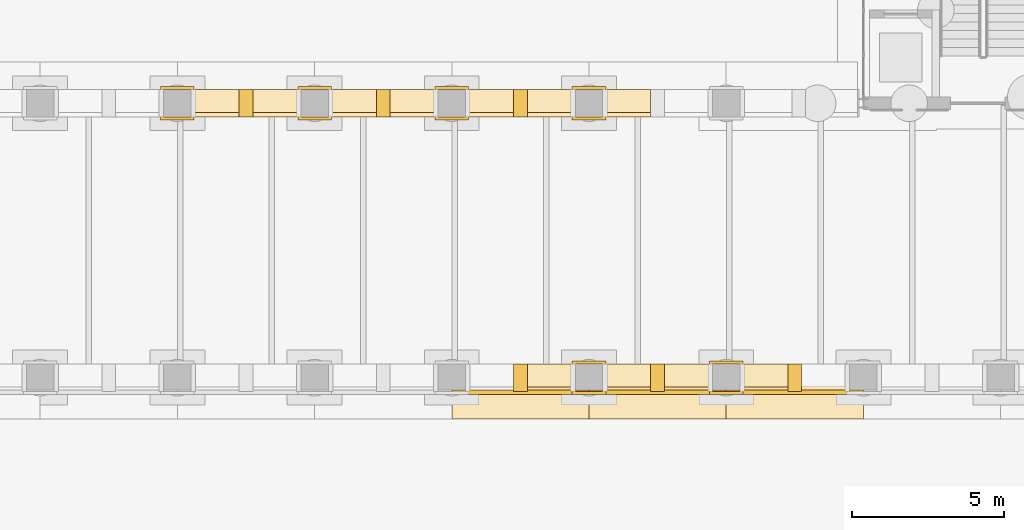
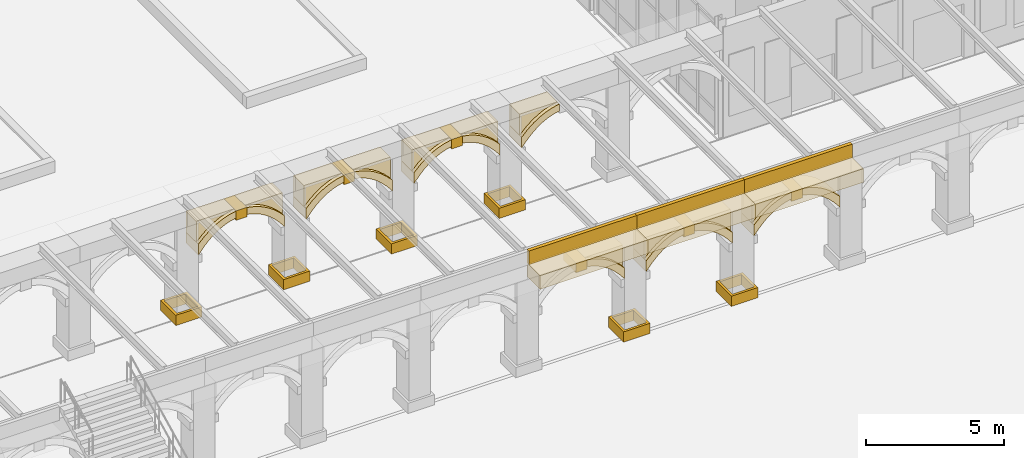
# One storey, part 126 of 168: 41 coverings.
"""IFC4 building model written with IfcOpenShell, lengths in metres."""

from ifc_helpers import new_model, si_unit, direction, frame, origin, origin_2d, place, context, subcontext, project, spatial, polyline, rectangle, outline, extrude, material, layer, layer_set, material_profile, profile_set, type_object, element, save


model = new_model("IFC4")

# Units and contexts
model_context = context("Model", 3, precision=1e-05, world=origin(), true_north=direction((0.0, 1.0)))
body_context = subcontext(model_context, "Body", "Model", "MODEL_VIEW")
ifc_project = project(units=[si_unit("LENGTHUNIT", "METRE"), si_unit("AREAUNIT", "SQUARE_METRE"), si_unit("VOLUMEUNIT", "CUBIC_METRE"), si_unit("PLANEANGLEUNIT", "RADIAN"), si_unit("MASSUNIT", "GRAM", prefix="KILO")], contexts=[model_context])

# Site, building, storey
site_placement = place(None, origin())
site = spatial("IfcSite", under=ifc_project, at=site_placement, CompositionType="ELEMENT")
building_placement = place(site_placement, origin())
building = spatial("IfcBuilding", under=site, at=building_placement, Name="Golden Quay Civic Hall", CompositionType="ELEMENT")
storey_placement = place(building_placement, origin())
storey = spatial("IfcBuildingStorey", under=building, at=storey_placement, Name="L00", CompositionType="ELEMENT", Elevation=0.0)

# Coverings
ifc_material_1 = material(Name="Brick, dark clay facing", Category="masonry")
ifc_layer_1 = layer(ifc_material_1, 0.75)
ifc_layer_set_1 = layer_set([ifc_layer_1], Name="Brick arch spandrel infill 750")
covering_type_1 = type_object("IfcCoveringType", Name="Brick arch spandrel infill 750", PredefinedType="CLADDING", material=ifc_layer_set_1)
covering_1_placement = place(storey_placement, frame((42.97509765625, -9.300048828125, 4.091064453125), z_axis=(0.0, -1.0, 0.0), x_axis=(0.97842552974, 0.0, -0.206599813053)))
element("IfcCovering", 1, at=covering_1_placement, inside=storey, type_object=covering_type_1, Name="Arch spandrel outer bay 6 right", PredefinedType="CLADDING", context=body_context, shape_type="SweptSolid", body=[
    extrude(outline(polyline([(0.0, 0.0), (0.06263051710363293, 1.734723475976807e-18), (0.31267483867747137, -0.0001008788149670925), (0.5881025541456739, -0.03651242089648961), (0.8673750848258303, -0.11003975339043703), (1.1505561937424948, -0.22216655622637274), (1.4375212099073598, -0.3746658221616902), (1.7294911476562997, -0.5697749671774053), (1.7300697733119603, -0.5701518352031314), (1.539106176579233, 0.3342229342292182), (-0.0018662580768914177, 0.008838316552825392), (0.0, 0.0)])), origin(), (0.0, 0.0, -1.0), 0.75),
])
covering_2_placement = place(storey_placement, frame((45.449951171875, -9.300048828125, 3.17578125), z_axis=(0.0, -1.0, 0.0), x_axis=(0.707106781187, 0.0, 0.707106781187)))
element("IfcCovering", 2, at=covering_2_placement, inside=storey, type_object=covering_type_1, Name="Arch spandrel outer bay 7 left", PredefinedType="CLADDING", context=body_context, shape_type="SweptSolid", body=[
    extrude(outline(polyline([(0.0, 0.0), (0.0006905339660024879, 0.0), (0.35182705567826755, 0.004143203796014933), (0.6755148522419337, -0.02468658928458889), (0.9739981590465092, -0.08528094480130727), (1.2481401435494968, -0.17608616133063437), (1.4988039732084, -0.29589380443206603), (1.7083810318901549, -0.4322742627175573), (1.760861613306344, -0.46645569403468046), (1.767249052491867, -0.4600682548491575), (0.6535903988213547, 0.6535903988213547), (0.0, 0.0)])), origin(), (0.0, 0.0, -1.0), 0.75),
])
covering_3_placement = place(storey_placement, frame((47.47509765625, -9.300048828125, 4.091064453125), z_axis=(0.0, -1.0, 0.0), x_axis=(0.97842552974, 0.0, -0.206599813053)))
element("IfcCovering", 3, at=covering_3_placement, inside=storey, type_object=covering_type_1, Name="Arch spandrel outer bay 7 right", PredefinedType="CLADDING", context=body_context, shape_type="SweptSolid", body=[
    extrude(outline(polyline([(0.0, 0.0), (0.06263051710363293, 1.734723475976807e-18), (0.31267483867747137, -0.0001008788149670925), (0.5881025541456739, -0.03651242089648961), (0.8673750848258303, -0.11003975339043703), (1.1505561937424948, -0.22216655622637274), (1.4375212099073598, -0.3746658221616902), (1.7294911476562997, -0.5697749671774053), (1.7300697733119603, -0.5701518352031314), (1.539106176579233, 0.3342229342292182), (-0.0018662580768914177, 0.008838316552825392), (0.0, 0.0)])), origin(), (0.0, 0.0, -1.0), 0.75),
])
for number, where, z_axis, x_axis, name in (
    (4, (49.949951171875, -9.300048828125, 3.17578125), (0.0, -1.0, 0.0), (0.707106781187, 0.0, 0.707106781187), "Arch spandrel outer bay 8 left"),
    (5, (31.949951171875, -0.300048828125, 3.17578125), (0.0, -1.0, 0.0), (0.707106781187, 0.0, 0.707106781187), "Arch spandrel inner0 bay 4 left"),
):
    element("IfcCovering", number, at=place(storey_placement, frame(where, z_axis=z_axis, x_axis=x_axis)), inside=storey, type_object=covering_type_1, Name=name, PredefinedType="CLADDING", context=body_context, shape_type="SweptSolid", body=[
        extrude(outline(polyline([(0.0, 0.0), (0.0006905339660024879, 0.0), (0.35182705567826755, 0.004143203796014933), (0.6755148522419337, -0.02468658928458889), (0.9739981590465092, -0.08528094480130727), (1.2481401435494968, -0.17608616133063437), (1.4988039732084, -0.29589380443206603), (1.7083810318901549, -0.4322742627175573), (1.760861613306344, -0.46645569403468046), (1.767249052491867, -0.4600682548491575), (0.6535903988213547, 0.6535903988213547), (0.0, 0.0)])), origin(), (0.0, 0.0, -1.0), 0.75),
    ])
covering_4_placement = place(storey_placement, frame((33.97509765625, -0.300048828125, 4.091064453125), z_axis=(0.0, -1.0, 0.0), x_axis=(0.97842552974, 0.0, -0.206599813053)))
element("IfcCovering", 6, at=covering_4_placement, inside=storey, type_object=covering_type_1, Name="Arch spandrel inner0 bay 4 right", PredefinedType="CLADDING", context=body_context, shape_type="SweptSolid", body=[
    extrude(outline(polyline([(0.0, 0.0), (0.06263051710363293, 1.734723475976807e-18), (0.31267483867747137, -0.0001008788149670925), (0.5881025541456739, -0.03651242089648961), (0.8673750848258303, -0.11003975339043703), (1.1505561937424948, -0.22216655622637274), (1.4375212099073598, -0.3746658221616902), (1.7294911476562997, -0.5697749671774053), (1.7300697733119603, -0.5701518352031314), (1.539106176579233, 0.3342229342292182), (-0.0018662580768914177, 0.008838316552825392), (0.0, 0.0)])), origin(), (0.0, 0.0, -1.0), 0.75),
])
covering_5_placement = place(storey_placement, frame((36.449951171875, -0.300048828125, 3.17578125), z_axis=(0.0, -1.0, 0.0), x_axis=(0.707106781187, 0.0, 0.707106781187)))
element("IfcCovering", 7, at=covering_5_placement, inside=storey, type_object=covering_type_1, Name="Arch spandrel inner0 bay 5 left", PredefinedType="CLADDING", context=body_context, shape_type="SweptSolid", body=[
    extrude(outline(polyline([(0.0, 0.0), (0.0006905339660024879, 0.0), (0.35182705567826755, 0.004143203796014933), (0.6755148522419337, -0.02468658928458889), (0.9739981590465092, -0.08528094480130727), (1.2481401435494968, -0.17608616133063437), (1.4988039732084, -0.29589380443206603), (1.7083810318901549, -0.4322742627175573), (1.760861613306344, -0.46645569403468046), (1.767249052491867, -0.4600682548491575), (0.6535903988213547, 0.6535903988213547), (0.0, 0.0)])), origin(), (0.0, 0.0, -1.0), 0.75),
])
covering_6_placement = place(storey_placement, frame((38.47509765625, -0.300048828125, 4.091064453125), z_axis=(0.0, -1.0, 0.0), x_axis=(0.97842552974, 0.0, -0.206599813053)))
element("IfcCovering", 8, at=covering_6_placement, inside=storey, type_object=covering_type_1, Name="Arch spandrel inner0 bay 5 right", PredefinedType="CLADDING", context=body_context, shape_type="SweptSolid", body=[
    extrude(outline(polyline([(0.0, 0.0), (0.06263051710363293, 1.734723475976807e-18), (0.31267483867747137, -0.0001008788149670925), (0.5881025541456739, -0.03651242089648961), (0.8673750848258303, -0.11003975339043703), (1.1505561937424948, -0.22216655622637274), (1.4375212099073598, -0.3746658221616902), (1.7294911476562997, -0.5697749671774053), (1.7300697733119603, -0.5701518352031314), (1.539106176579233, 0.3342229342292182), (-0.0018662580768914177, 0.008838316552825392), (0.0, 0.0)])), origin(), (0.0, 0.0, -1.0), 0.75),
])
covering_7_placement = place(storey_placement, frame((40.949951171875, -0.300048828125, 3.17578125), z_axis=(0.0, -1.0, 0.0), x_axis=(0.707106781187, 0.0, 0.707106781187)))
element("IfcCovering", 9, at=covering_7_placement, inside=storey, type_object=covering_type_1, Name="Arch spandrel inner0 bay 6 left", PredefinedType="CLADDING", context=body_context, shape_type="SweptSolid", body=[
    extrude(outline(polyline([(0.0, 0.0), (0.0006905339660024879, 0.0), (0.35182705567826755, 0.004143203796014933), (0.6755148522419337, -0.02468658928458889), (0.9739981590465092, -0.08528094480130727), (1.2481401435494968, -0.17608616133063437), (1.4988039732084, -0.29589380443206603), (1.7083810318901549, -0.4322742627175573), (1.760861613306344, -0.46645569403468046), (1.767249052491867, -0.4600682548491575), (0.6535903988213547, 0.6535903988213547), (0.0, 0.0)])), origin(), (0.0, 0.0, -1.0), 0.75),
])
covering_8_placement = place(storey_placement, frame((42.97509765625, -0.300048828125, 4.091064453125), z_axis=(0.0, -1.0, 0.0), x_axis=(0.97842552974, 0.0, -0.206599813053)))
element("IfcCovering", 10, at=covering_8_placement, inside=storey, type_object=covering_type_1, Name="Arch spandrel inner0 bay 6 right", PredefinedType="CLADDING", context=body_context, shape_type="SweptSolid", body=[
    extrude(outline(polyline([(0.0, 0.0), (0.06263051710363293, 1.734723475976807e-18), (0.31267483867747137, -0.0001008788149670925), (0.5881025541456739, -0.03651242089648961), (0.8673750848258303, -0.11003975339043703), (1.1505561937424948, -0.22216655622637274), (1.4375212099073598, -0.3746658221616902), (1.7294911476562997, -0.5697749671774053), (1.7300697733119603, -0.5701518352031314), (1.539106176579233, 0.3342229342292182), (-0.0018662580768914177, 0.008838316552825392), (0.0, 0.0)])), origin(), (0.0, 0.0, -1.0), 0.75),
])
covering_9_placement = place(storey_placement, frame((45.449951171875, -0.300048828125, 3.17578125), z_axis=(0.0, -1.0, 0.0), x_axis=(0.707106781187, 0.0, 0.707106781187)))
element("IfcCovering", 11, at=covering_9_placement, inside=storey, type_object=covering_type_1, Name="Arch spandrel inner0 bay 7 left", PredefinedType="CLADDING", context=body_context, shape_type="SweptSolid", body=[
    extrude(outline(polyline([(0.0, 0.0), (0.0006905339660024879, 0.0), (0.35182705567826755, 0.004143203796014933), (0.6755148522419337, -0.02468658928458889), (0.9739981590465092, -0.08528094480130727), (1.2481401435494968, -0.17608616133063437), (1.4988039732084, -0.29589380443206603), (1.7083810318901549, -0.4322742627175573), (1.760861613306344, -0.46645569403468046), (1.767249052491867, -0.4600682548491575), (0.6535903988213547, 0.6535903988213547), (0.0, 0.0)])), origin(), (0.0, 0.0, -1.0), 0.75),
])
ifc_material_2 = material(Name="Stone, buff limestone", Category="masonry")
ifc_layer_2 = layer(ifc_material_2, 0.89990234375)
ifc_layer_set_2 = layer_set([ifc_layer_2], Name="Stone arch keystone 450 x 420")
covering_type_2 = type_object("IfcCoveringType", Name="Stone arch keystone 450 x 420", PredefinedType="CLADDING", material=ifc_layer_set_2)
for number, where, z_axis, x_axis, name in (
    (12, (42.52490234375, -9.449951171875, 3.679931640625), (0.0, -1.0, 0.0), (1.0, 0.0, 0.0), "Arch keystone outer bay 6 crown"),
    (13, (47.02490234375, -9.449951171875, 3.679931640625), (0.0, -1.0, 0.0), (1.0, 0.0, 0.0), "Arch keystone outer bay 7 crown"),
    (14, (51.52490234375, -9.449951171875, 3.679931640625), (0.0, -1.0, 0.0), (1.0, 0.0, 0.0), "Arch keystone outer bay 8 crown"),
    (15, (33.52490234375, -0.449951171875, 3.679931640625), (0.0, -1.0, 0.0), (1.0, 0.0, 0.0), "Arch keystone inner0 bay 4 crown"),
    (16, (38.02490234375, -0.449951171875, 3.679931640625), (0.0, -1.0, 0.0), (1.0, 0.0, 0.0), "Arch keystone inner0 bay 5 crown"),
    (17, (42.52490234375, -0.449951171875, 3.679931640625), (0.0, -1.0, 0.0), (1.0, 0.0, 0.0), "Arch keystone inner0 bay 6 crown"),
):
    element("IfcCovering", number, at=place(storey_placement, frame(where, z_axis=z_axis, x_axis=x_axis)), inside=storey, type_object=covering_type_2, Name=name, PredefinedType="CLADDING", context=body_context, shape_type="SweptSolid", body=[
        extrude(outline(polyline([(0.0, 0.0), (0.4501953125, 0.0), (0.4501953125, 0.420166015625), (0.0, 0.420166015625), (0.0, 0.0)])), origin(), (0.0, 0.0, -1.0), 0.89990234375),
    ])
ifc_material_3 = material(Name="Stone, buff limestone", Category="masonry")
ifc_layer_3 = layer(ifc_material_3, 0.89990234375)
ifc_layer_set_3 = layer_set([ifc_layer_3], Name="Stone arch ring 900 x 300")
covering_type_3 = type_object("IfcCoveringType", Name="Stone arch ring 900 x 300", PredefinedType="CLADDING", material=ifc_layer_set_3)
covering_10_placement = place(storey_placement, frame((42.97509765625, -9.449951171875, 3.784423828125), z_axis=(0.0, -1.0, 0.0), x_axis=(0.978953882547, 0.0, -0.20408159115)))
element("IfcCovering", 18, at=covering_10_placement, inside=storey, type_object=covering_type_3, Name="Arch ring outer bay 6 right", PredefinedType="CLADDING", context=body_context, shape_type="SweptSolid", body=[
    extrude(outline(polyline([(0.0, 0.0), (0.22968754671057404, 0.0), (0.4662407685933837, -0.031737496286033756), (0.7094806084662527, -0.09674615254891705), (0.9602836680123576, -0.19683833887607075), (1.2190088401055397, -0.33493190882748347), (1.486164491441282, -0.5146617232013373), (1.7631254697749046, -0.7402301762123651), (1.666017310314196, -0.27441447379927847), (1.665439656274305, -0.27403611818824464), (1.3739727106559259, -0.07817636573824266), (1.0874010326963535, 0.07506077076837225), (0.8045093690852512, 0.18791584163726896), (0.5254269523975812, 0.26216151297199447), (0.25009383740278873, 0.29928162385615015), (5.060311670204709e-05, 0.3000258789264141), (-0.06257970666118522, 0.30018703039037287), (0.0, 0.0)])), origin(), (0.0, 0.0, -1.0), 0.89990234375),
])
covering_11_placement = place(storey_placement, frame((45.449951171875, -9.449951171875, 2.699951171875), z_axis=(0.0, -1.0, 0.0), x_axis=(0.630180832165, 0.0, 0.776448400585)))
element("IfcCovering", 19, at=covering_11_placement, inside=storey, type_object=covering_type_3, Name="Arch ring outer bay 7 left", PredefinedType="CLADDING", context=body_context, shape_type="SweptSolid", body=[
    extrude(outline(polyline([(0.0, 0.0), (0.3571953394339093, 0.0), (0.6778408073481526, -0.02935016390994566), (0.9656562359875701, -0.08566026756533418), (1.2233312115769217, -0.1664329572349489), (1.452986632547569, -0.2696324374142566), (1.6564467051663616, -0.39440701136103273), (1.8345410995356382, -0.5394544374263122), (2.0726317223713804, -0.3462153931881483), (2.023967866388838, -0.30678937647863513), (1.8296201479431229, -0.14946443483618055), (1.5926919309667726, -0.004373956702034887), (1.3294118430005957, 0.11429790304869314), (1.038796361200025, 0.20543846536483718), (0.7198262528649223, 0.2675916358552039), (0.37014433379061235, 0.2997875748909126), (0.36945750311055836, 0.2998589946020553), (0.0, 0.0)])), origin(), (0.0, 0.0, -1.0), 0.89990234375),
])
covering_12_placement = place(storey_placement, frame((47.47509765625, -9.449951171875, 3.784423828125), z_axis=(0.0, -1.0, 0.0), x_axis=(0.978953882547, 0.0, -0.20408159115)))
element("IfcCovering", 20, at=covering_12_placement, inside=storey, type_object=covering_type_3, Name="Arch ring outer bay 7 right", PredefinedType="CLADDING", context=body_context, shape_type="SweptSolid", body=[
    extrude(outline(polyline([(0.0, 0.0), (0.22968754671057404, 0.0), (0.4662407685933837, -0.031737496286033756), (0.7094806084662527, -0.09674615254891705), (0.9602836680123576, -0.19683833887607075), (1.2190088401055397, -0.33493190882748347), (1.486164491441282, -0.5146617232013373), (1.7631254697749046, -0.7402301762123651), (1.666017310314196, -0.27441447379927847), (1.665439656274305, -0.27403611818824464), (1.3739727106559259, -0.07817636573824266), (1.0874010326963535, 0.07506077076837225), (0.8045093690852512, 0.18791584163726896), (0.5254269523975812, 0.26216151297199447), (0.25009383740278873, 0.29928162385615015), (5.060311670204709e-05, 0.3000258789264141), (-0.06257970666118522, 0.30018703039037287), (0.0, 0.0)])), origin(), (0.0, 0.0, -1.0), 0.89990234375),
])
covering_13_placement = place(storey_placement, frame((49.949951171875, -9.449951171875, 2.699951171875), z_axis=(0.0, -1.0, 0.0), x_axis=(0.630180832165, 0.0, 0.776448400585)))
element("IfcCovering", 21, at=covering_13_placement, inside=storey, type_object=covering_type_3, Name="Arch ring outer bay 8 left", PredefinedType="CLADDING", context=body_context, shape_type="SweptSolid", body=[
    extrude(outline(polyline([(0.0, 0.0), (0.3571953394339093, 0.0), (0.6778408073481526, -0.02935016390994566), (0.9656562359875701, -0.08566026756533418), (1.2233312115769217, -0.1664329572349489), (1.452986632547569, -0.2696324374142566), (1.6564467051663616, -0.39440701136103273), (1.8345410995356382, -0.5394544374263122), (2.0726317223713804, -0.3462153931881483), (2.023967866388838, -0.30678937647863513), (1.8296201479431229, -0.14946443483618055), (1.5926919309667726, -0.004373956702034887), (1.3294118430005957, 0.11429790304869314), (1.038796361200025, 0.20543846536483718), (0.7198262528649223, 0.2675916358552039), (0.37014433379061235, 0.2997875748909126), (0.36945750311055836, 0.2998589946020553), (0.0, 0.0)])), origin(), (0.0, 0.0, -1.0), 0.89990234375),
])
covering_14_placement = place(storey_placement, frame((51.97509765625, -9.449951171875, 3.784423828125), z_axis=(0.0, -1.0, 0.0), x_axis=(0.978953882547, 0.0, -0.20408159115)))
element("IfcCovering", 22, at=covering_14_placement, inside=storey, type_object=covering_type_3, Name="Arch ring outer bay 8 right", PredefinedType="CLADDING", context=body_context, shape_type="SweptSolid", body=[
    extrude(outline(polyline([(0.0, 0.0), (0.22968754671057404, 0.0), (0.4662407685933837, -0.031737496286033756), (0.7094806084662527, -0.09674615254891705), (0.9602836680123576, -0.19683833887607075), (1.2190088401055397, -0.33493190882748347), (1.486164491441282, -0.5146617232013373), (1.7631254697749046, -0.7402301762123651), (1.666017310314196, -0.27441447379927847), (1.665439656274305, -0.27403611818824464), (1.3739727106559259, -0.07817636573824266), (1.0874010326963535, 0.07506077076837225), (0.8045093690852512, 0.18791584163726896), (0.5254269523975812, 0.26216151297199447), (0.25009383740278873, 0.29928162385615015), (5.060311670204709e-05, 0.3000258789264141), (-0.06257970666118522, 0.30018703039037287), (0.0, 0.0)])), origin(), (0.0, 0.0, -1.0), 0.89990234375),
])
covering_15_placement = place(storey_placement, frame((31.949951171875, -0.449951171875, 2.699951171875), z_axis=(0.0, -1.0, 0.0), x_axis=(0.630180832165, 0.0, 0.776448400585)))
element("IfcCovering", 23, at=covering_15_placement, inside=storey, type_object=covering_type_3, Name="Arch ring inner0 bay 4 left", PredefinedType="CLADDING", context=body_context, shape_type="SweptSolid", body=[
    extrude(outline(polyline([(0.0, 0.0), (0.3571953394339093, 0.0), (0.6778408073481526, -0.02935016390994566), (0.9656562359875701, -0.08566026756533418), (1.2233312115769217, -0.1664329572349489), (1.452986632547569, -0.2696324374142566), (1.6564467051663616, -0.39440701136103273), (1.8345410995356382, -0.5394544374263122), (2.0726317223713804, -0.3462153931881483), (2.023967866388838, -0.30678937647863513), (1.8296201479431229, -0.14946443483618055), (1.5926919309667726, -0.004373956702034887), (1.3294118430005957, 0.11429790304869314), (1.038796361200025, 0.20543846536483718), (0.7198262528649223, 0.2675916358552039), (0.37014433379061235, 0.2997875748909126), (0.36945750311055836, 0.2998589946020553), (0.0, 0.0)])), origin(), (0.0, 0.0, -1.0), 0.89990234375),
])
covering_16_placement = place(storey_placement, frame((33.97509765625, -0.449951171875, 3.784423828125), z_axis=(0.0, -1.0, 0.0), x_axis=(0.978953882547, 0.0, -0.20408159115)))
element("IfcCovering", 24, at=covering_16_placement, inside=storey, type_object=covering_type_3, Name="Arch ring inner0 bay 4 right", PredefinedType="CLADDING", context=body_context, shape_type="SweptSolid", body=[
    extrude(outline(polyline([(0.0, 0.0), (0.22968754671057404, 0.0), (0.4662407685933837, -0.031737496286033756), (0.7094806084662527, -0.09674615254891705), (0.9602836680123576, -0.19683833887607075), (1.2190088401055397, -0.33493190882748347), (1.486164491441282, -0.5146617232013373), (1.7631254697749046, -0.7402301762123651), (1.666017310314196, -0.27441447379927847), (1.665439656274305, -0.27403611818824464), (1.3739727106559259, -0.07817636573824266), (1.0874010326963535, 0.07506077076837225), (0.8045093690852512, 0.18791584163726896), (0.5254269523975812, 0.26216151297199447), (0.25009383740278873, 0.29928162385615015), (5.060311670204709e-05, 0.3000258789264141), (-0.06257970666118522, 0.30018703039037287), (0.0, 0.0)])), origin(), (0.0, 0.0, -1.0), 0.89990234375),
])
covering_17_placement = place(storey_placement, frame((36.449951171875, -0.449951171875, 2.699951171875), z_axis=(0.0, -1.0, 0.0), x_axis=(0.630180832165, 0.0, 0.776448400585)))
element("IfcCovering", 25, at=covering_17_placement, inside=storey, type_object=covering_type_3, Name="Arch ring inner0 bay 5 left", PredefinedType="CLADDING", context=body_context, shape_type="SweptSolid", body=[
    extrude(outline(polyline([(0.0, 0.0), (0.3571953394339093, 0.0), (0.6778408073481526, -0.02935016390994566), (0.9656562359875701, -0.08566026756533418), (1.2233312115769217, -0.1664329572349489), (1.452986632547569, -0.2696324374142566), (1.6564467051663616, -0.39440701136103273), (1.8345410995356382, -0.5394544374263122), (2.0726317223713804, -0.3462153931881483), (2.023967866388838, -0.30678937647863513), (1.8296201479431229, -0.14946443483618055), (1.5926919309667726, -0.004373956702034887), (1.3294118430005957, 0.11429790304869314), (1.038796361200025, 0.20543846536483718), (0.7198262528649223, 0.2675916358552039), (0.37014433379061235, 0.2997875748909126), (0.36945750311055836, 0.2998589946020553), (0.0, 0.0)])), origin(), (0.0, 0.0, -1.0), 0.89990234375),
])
covering_18_placement = place(storey_placement, frame((38.47509765625, -0.449951171875, 3.784423828125), z_axis=(0.0, -1.0, 0.0), x_axis=(0.978953882547, 0.0, -0.20408159115)))
element("IfcCovering", 26, at=covering_18_placement, inside=storey, type_object=covering_type_3, Name="Arch ring inner0 bay 5 right", PredefinedType="CLADDING", context=body_context, shape_type="SweptSolid", body=[
    extrude(outline(polyline([(0.0, 0.0), (0.22968754671057404, 0.0), (0.4662407685933837, -0.031737496286033756), (0.7094806084662527, -0.09674615254891705), (0.9602836680123576, -0.19683833887607075), (1.2190088401055397, -0.33493190882748347), (1.486164491441282, -0.5146617232013373), (1.7631254697749046, -0.7402301762123651), (1.666017310314196, -0.27441447379927847), (1.665439656274305, -0.27403611818824464), (1.3739727106559259, -0.07817636573824266), (1.0874010326963535, 0.07506077076837225), (0.8045093690852512, 0.18791584163726896), (0.5254269523975812, 0.26216151297199447), (0.25009383740278873, 0.29928162385615015), (5.060311670204709e-05, 0.3000258789264141), (-0.06257970666118522, 0.30018703039037287), (0.0, 0.0)])), origin(), (0.0, 0.0, -1.0), 0.89990234375),
])
covering_19_placement = place(storey_placement, frame((40.949951171875, -0.449951171875, 2.699951171875), z_axis=(0.0, -1.0, 0.0), x_axis=(0.630180832165, 0.0, 0.776448400585)))
element("IfcCovering", 27, at=covering_19_placement, inside=storey, type_object=covering_type_3, Name="Arch ring inner0 bay 6 left", PredefinedType="CLADDING", context=body_context, shape_type="SweptSolid", body=[
    extrude(outline(polyline([(0.0, 0.0), (0.3571953394339093, 0.0), (0.6778408073481526, -0.02935016390994566), (0.9656562359875701, -0.08566026756533418), (1.2233312115769217, -0.1664329572349489), (1.452986632547569, -0.2696324374142566), (1.6564467051663616, -0.39440701136103273), (1.8345410995356382, -0.5394544374263122), (2.0726317223713804, -0.3462153931881483), (2.023967866388838, -0.30678937647863513), (1.8296201479431229, -0.14946443483618055), (1.5926919309667726, -0.004373956702034887), (1.3294118430005957, 0.11429790304869314), (1.038796361200025, 0.20543846536483718), (0.7198262528649223, 0.2675916358552039), (0.37014433379061235, 0.2997875748909126), (0.36945750311055836, 0.2998589946020553), (0.0, 0.0)])), origin(), (0.0, 0.0, -1.0), 0.89990234375),
])
covering_20_placement = place(storey_placement, frame((42.97509765625, -0.449951171875, 3.784423828125), z_axis=(0.0, -1.0, 0.0), x_axis=(0.978953882547, 0.0, -0.20408159115)))
element("IfcCovering", 28, at=covering_20_placement, inside=storey, type_object=covering_type_3, Name="Arch ring inner0 bay 6 right", PredefinedType="CLADDING", context=body_context, shape_type="SweptSolid", body=[
    extrude(outline(polyline([(0.0, 0.0), (0.22968754671057404, 0.0), (0.4662407685933837, -0.031737496286033756), (0.7094806084662527, -0.09674615254891705), (0.9602836680123576, -0.19683833887607075), (1.2190088401055397, -0.33493190882748347), (1.486164491441282, -0.5146617232013373), (1.7631254697749046, -0.7402301762123651), (1.666017310314196, -0.27441447379927847), (1.665439656274305, -0.27403611818824464), (1.3739727106559259, -0.07817636573824266), (1.0874010326963535, 0.07506077076837225), (0.8045093690852512, 0.18791584163726896), (0.5254269523975812, 0.26216151297199447), (0.25009383740278873, 0.29928162385615015), (5.060311670204709e-05, 0.3000258789264141), (-0.06257970666118522, 0.30018703039037287), (0.0, 0.0)])), origin(), (0.0, 0.0, -1.0), 0.89990234375),
])
covering_21_placement = place(storey_placement, frame((45.449951171875, -0.449951171875, 2.699951171875), z_axis=(0.0, -1.0, 0.0), x_axis=(0.630180832165, 0.0, 0.776448400585)))
element("IfcCovering", 29, at=covering_21_placement, inside=storey, type_object=covering_type_3, Name="Arch ring inner0 bay 7 left", PredefinedType="CLADDING", context=body_context, shape_type="SweptSolid", body=[
    extrude(outline(polyline([(0.0, 0.0), (0.3571953394339093, 0.0), (0.6778408073481526, -0.02935016390994566), (0.9656562359875701, -0.08566026756533418), (1.2233312115769217, -0.1664329572349489), (1.452986632547569, -0.2696324374142566), (1.6564467051663616, -0.39440701136103273), (1.8345410995356382, -0.5394544374263122), (2.0726317223713804, -0.3462153931881483), (2.023967866388838, -0.30678937647863513), (1.8296201479431229, -0.14946443483618055), (1.5926919309667726, -0.004373956702034887), (1.3294118430005957, 0.11429790304869314), (1.038796361200025, 0.20543846536483718), (0.7198262528649223, 0.2675916358552039), (0.37014433379061235, 0.2997875748909126), (0.36945750311055836, 0.2998589946020553), (0.0, 0.0)])), origin(), (0.0, 0.0, -1.0), 0.89990234375),
])
ifc_material_4 = material(Name="Stone, buff limestone", Category="masonry")
ifc_material_profile_1 = material_profile(ifc_material_4, rectangle(XDim=0.89990234375, YDim=0.60009765625, at=origin_2d()), Name="RC 900x600")
ifc_profile_set_1 = profile_set([ifc_material_profile_1], Name="Stone, buff limestone")
covering_type_4 = type_object("IfcCoveringType", Name="Stone cornice 900 x 600", PredefinedType="MOLDING", material=ifc_profile_set_1)
for number, where, z_axis, x_axis, name in (
    (30, (40.5, -9.89990234375, 4.5), (1.0, 0.0, 0.0), (0.0, 1.0, 0.0), "Stone cornice outer bay 6"),
    (31, (45.0, -9.89990234375, 4.5), (1.0, 0.0, 0.0), (0.0, 1.0, 0.0), "Stone cornice outer bay 7"),
    (32, (49.5, -9.89990234375, 4.5), (1.0, 0.0, 0.0), (0.0, 1.0, 0.0), "Stone cornice outer bay 8"),
):
    element("IfcCovering", number, at=place(storey_placement, frame(where, z_axis=z_axis, x_axis=x_axis)), inside=storey, type_object=covering_type_4, Name=name, PredefinedType="MOLDING", context=body_context, shape_type="SweptSolid", body=[
        extrude(rectangle(XDim=0.89990234375, YDim=0.60009765625, at=origin_2d()), origin(), (0.0, 0.0, 1.0), 4.5),
    ])
ifc_material_5 = material(Name="Stone, buff limestone", Category="masonry")
ifc_layer_4 = layer(ifc_material_5, 0.449951171875)
ifc_layer_set_4 = layer_set([ifc_layer_4], Name="Stone pier plinth 450")
covering_type_5 = type_object("IfcCoveringType", Name="Stone pier plinth 450", PredefinedType="CLADDING", material=ifc_layer_set_4)
covering_22_placement = place(storey_placement, origin())
element("IfcCovering", 33, at=covering_22_placement, inside=storey, type_object=covering_type_5, Name="Pier plinth outer 45", PredefinedType="CLADDING", context=body_context, shape_type="SweptSolid", body=[
    extrude(outline(polyline([(44.449951171875, -9.550048828125), (45.550048828125, -9.550048828125), (45.550048828125, -8.449951171875), (44.449951171875, -8.449951171875), (44.449951171875, -9.550048828125)]), holes=[polyline([(44.550048828125, -9.449951171875), (45.449951171875, -9.449951171875), (45.449951171875, -8.550048828125), (44.550048828125, -8.550048828125), (44.550048828125, -9.449951171875)])]), origin(), (0.0, 0.0, 1.0), 0.449951171875),
])
covering_23_placement = place(storey_placement, origin())
element("IfcCovering", 34, at=covering_23_placement, inside=storey, type_object=covering_type_5, Name="Pier plinth outer 49.5", PredefinedType="CLADDING", context=body_context, shape_type="SweptSolid", body=[
    extrude(outline(polyline([(48.949951171875, -9.550048828125), (50.050048828125, -9.550048828125), (50.050048828125, -8.449951171875), (48.949951171875, -8.449951171875), (48.949951171875, -9.550048828125)]), holes=[polyline([(49.050048828125, -9.449951171875), (49.949951171875, -9.449951171875), (49.949951171875, -8.550048828125), (49.050048828125, -8.550048828125), (49.050048828125, -9.449951171875)])]), origin(), (0.0, 0.0, 1.0), 0.449951171875),
])
covering_24_placement = place(storey_placement, origin())
element("IfcCovering", 35, at=covering_24_placement, inside=storey, type_object=covering_type_5, Name="Pier plinth inner0 31.5", PredefinedType="CLADDING", context=body_context, shape_type="SweptSolid", body=[
    extrude(outline(polyline([(30.949951171875, -0.550048828125), (32.050048828125, -0.550048828125), (32.050048828125, 0.550048828125), (30.949951171875, 0.550048828125), (30.949951171875, -0.550048828125)]), holes=[polyline([(31.050048828125, -0.449951171875), (31.949951171875, -0.449951171875), (31.949951171875, 0.449951171875), (31.050048828125, 0.449951171875), (31.050048828125, -0.449951171875)])]), origin(), (0.0, 0.0, 1.0), 0.449951171875),
])
covering_25_placement = place(storey_placement, origin())
element("IfcCovering", 36, at=covering_25_placement, inside=storey, type_object=covering_type_5, Name="Pier plinth inner0 36", PredefinedType="CLADDING", context=body_context, shape_type="SweptSolid", body=[
    extrude(outline(polyline([(35.449951171875, -0.550048828125), (36.550048828125, -0.550048828125), (36.550048828125, 0.550048828125), (35.449951171875, 0.550048828125), (35.449951171875, -0.550048828125)]), holes=[polyline([(35.550048828125, -0.449951171875), (36.449951171875, -0.449951171875), (36.449951171875, 0.449951171875), (35.550048828125, 0.449951171875), (35.550048828125, -0.449951171875)])]), origin(), (0.0, 0.0, 1.0), 0.449951171875),
])
covering_26_placement = place(storey_placement, origin())
element("IfcCovering", 37, at=covering_26_placement, inside=storey, type_object=covering_type_5, Name="Pier plinth inner0 40.5", PredefinedType="CLADDING", context=body_context, shape_type="SweptSolid", body=[
    extrude(outline(polyline([(39.949951171875, -0.550048828125), (41.050048828125, -0.550048828125), (41.050048828125, 0.550048828125), (39.949951171875, 0.550048828125), (39.949951171875, -0.550048828125)]), holes=[polyline([(40.050048828125, -0.449951171875), (40.949951171875, -0.449951171875), (40.949951171875, 0.449951171875), (40.050048828125, 0.449951171875), (40.050048828125, -0.449951171875)])]), origin(), (0.0, 0.0, 1.0), 0.449951171875),
])
covering_27_placement = place(storey_placement, origin())
element("IfcCovering", 38, at=covering_27_placement, inside=storey, type_object=covering_type_5, Name="Pier plinth inner0 45", PredefinedType="CLADDING", context=body_context, shape_type="SweptSolid", body=[
    extrude(outline(polyline([(44.449951171875, -0.550048828125), (45.550048828125, -0.550048828125), (45.550048828125, 0.550048828125), (44.449951171875, 0.550048828125), (44.449951171875, -0.550048828125)]), holes=[polyline([(44.550048828125, -0.449951171875), (45.449951171875, -0.449951171875), (45.449951171875, 0.449951171875), (44.550048828125, 0.449951171875), (44.550048828125, -0.449951171875)])]), origin(), (0.0, 0.0, 1.0), 0.449951171875),
])
ifc_material_6 = material(Name="Stone, buff limestone", Category="masonry")
ifc_material_profile_2 = material_profile(ifc_material_6, rectangle(XDim=0.14990234375, YDim=0.60009765625, at=origin_2d()), Name="RC 150x600")
ifc_profile_set_2 = profile_set([ifc_material_profile_2], Name="Stone, buff limestone")
covering_type_6 = type_object("IfcCoveringType", Name="Stone terrace fascia 150 x 600", PredefinedType="CLADDING", material=ifc_profile_set_2)
for number, where, z_axis, x_axis, name in (
    (39, (40.5, -9.47509765625, 5.10009765625), (1.0, 0.0, 0.0), (0.0, 1.0, 0.0), "Terrace fascia bay 6"),
    (40, (45.0, -9.47509765625, 5.10009765625), (1.0, 0.0, 0.0), (0.0, 1.0, 0.0), "Terrace fascia bay 7"),
    (41, (49.5, -9.47509765625, 5.10009765625), (1.0, 0.0, 0.0), (0.0, 1.0, 0.0), "Terrace fascia bay 8"),
):
    element("IfcCovering", number, at=place(storey_placement, frame(where, z_axis=z_axis, x_axis=x_axis)), inside=storey, type_object=covering_type_6, Name=name, PredefinedType="CLADDING", context=body_context, shape_type="SweptSolid", body=[
        extrude(rectangle(XDim=0.14990234375, YDim=0.60009765625, at=origin_2d()), origin(), (0.0, 0.0, 1.0), 4.5),
    ])

save(model, "model.ifc")
